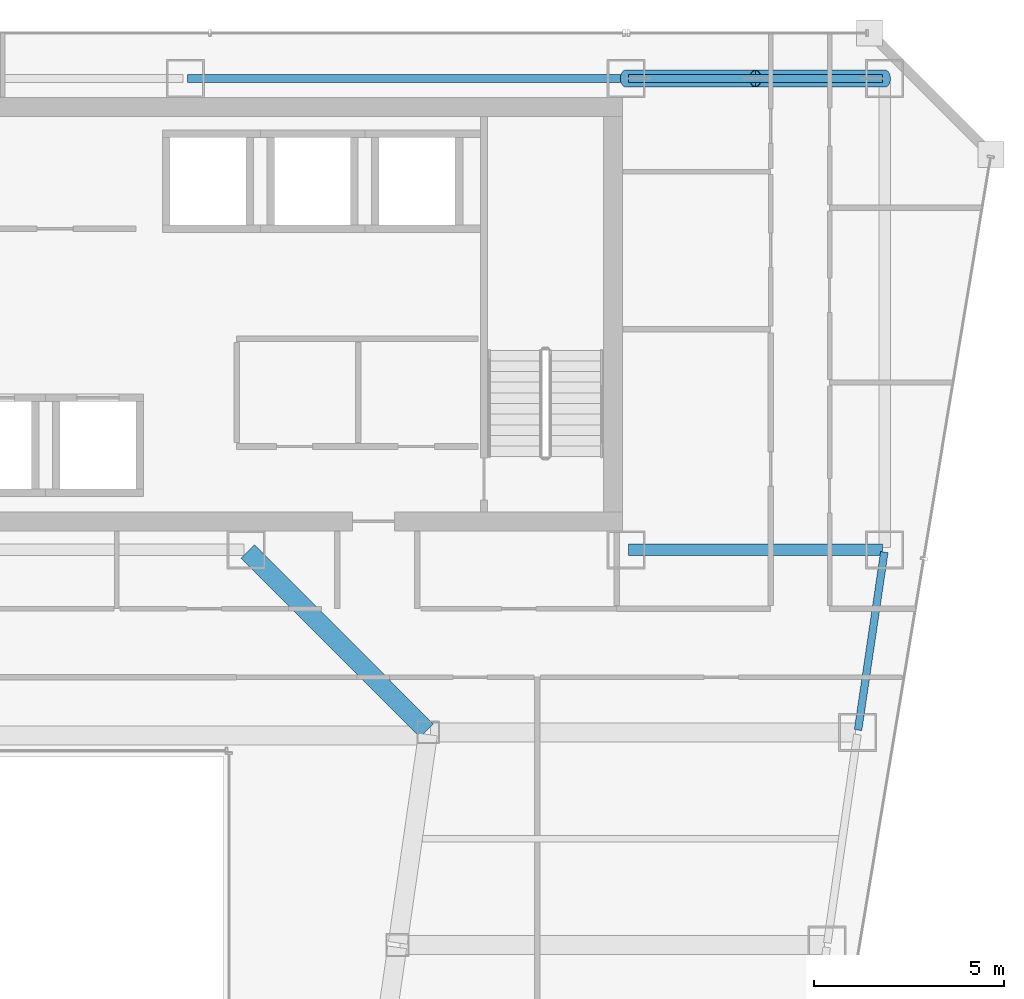
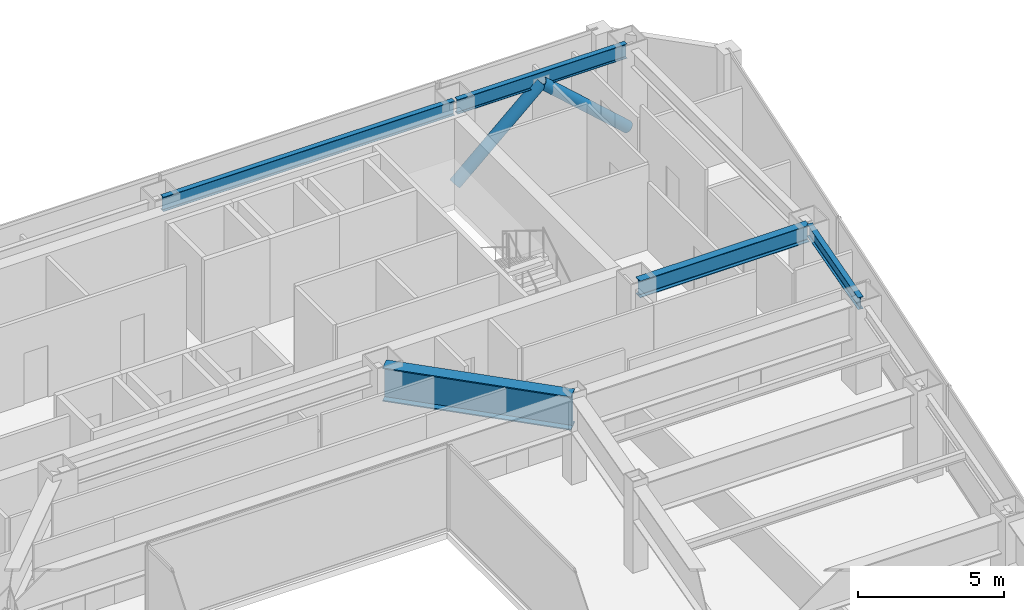
# One storey, part 25 of 37: 5 beams, 2 members.
"""IFC4 building model written with IfcOpenShell, lengths in metres."""

from ifc_helpers import new_model, si_unit, direction, frame, origin, origin_2d, place, context, subcontext, project, spatial, hollow_circle, i_section, extrude, material, material_profile, profile_set, type_object, element, save


model = new_model("IFC4")

# Units and contexts
model_context = context("Model", 3, precision=1e-05, world=origin(), true_north=direction((0.0, 1.0)))
body_context = subcontext(model_context, "Body", "Model", "MODEL_VIEW")
ifc_project = project(units=[si_unit("LENGTHUNIT", "METRE"), si_unit("AREAUNIT", "SQUARE_METRE"), si_unit("VOLUMEUNIT", "CUBIC_METRE"), si_unit("PLANEANGLEUNIT", "RADIAN"), si_unit("MASSUNIT", "GRAM", prefix="KILO")], contexts=[model_context])

# Site, building, storey
site_placement = place(None, origin())
site = spatial("IfcSite", under=ifc_project, at=site_placement, CompositionType="ELEMENT")
building_placement = place(site_placement, origin())
building = spatial("IfcBuilding", under=site, at=building_placement, Name="Saevonmaru Cultural Tower", CompositionType="ELEMENT")
storey_placement = place(building_placement, frame((0.0, 0.0, 163.800048828125)))
storey = spatial("IfcBuildingStorey", under=building, at=storey_placement, Name="L36", CompositionType="ELEMENT", Elevation=163.800048828125)

# Beams
ifc_material_1 = material(Name="Steel SM355", Category="steel")
ifc_material_profile_1 = material_profile(ifc_material_1, i_section(OverallWidth=0.300048828125, OverallDepth=0.699951171875, WebThickness=0.012939453125, FlangeThickness=0.02392578125, FilletRadius=0.02587890625, at=origin_2d()), Name="H-700x300x13x24")
ifc_profile_set_1 = profile_set([ifc_material_profile_1], Name="Steel SM355")
beam_type_1 = type_object("IfcBeamType", Name="BM-G-H700", PredefinedType="BEAM", material=ifc_profile_set_1)
beam_1_placement = place(storey_placement, frame((46.4599609375, 42.39990234375, 3.199951171875), z_axis=(1.0, 0.0, 0.0), x_axis=(0.0, 1.0, 0.0)))
element("IfcBeam", 1, at=beam_1_placement, inside=storey, type_object=beam_type_1, Name="L36 Core South Girder 5", PredefinedType="BEAM", context=body_context, shape_type="SweptSolid", body=[
    extrude(i_section(OverallWidth=0.300048828125, OverallDepth=0.699951171875, WebThickness=0.012939453125, FlangeThickness=0.02392578125, FilletRadius=0.02587890625, at=origin_2d()), origin(), (0.0, 0.0, 1.0), 6.679931640625),
])
ifc_material_profile_2 = material_profile(ifc_material_1, i_section(OverallWidth=0.199951171875, OverallDepth=0.5, WebThickness=0.010009765625, FlangeThickness=0.01611328125, FilletRadius=0.02001953125, at=origin_2d()), Name="H-500x200x10x16")
ifc_profile_set_2 = profile_set([ifc_material_profile_2], Name="Steel SM355")
beam_type_2 = type_object("IfcBeamType", Name="BM-SP-H500", PredefinedType="SPANDREL", material=ifc_profile_set_2)
beam_2_placement = place(storey_placement, frame((52.500732421875, 37.659423828125, 3.300048828125), z_axis=(0.145912860028, 0.989297446312, 0.0), x_axis=(-0.989297446312, 0.145912860028, 0.0)))
element("IfcBeam", 2, at=beam_2_placement, inside=storey, type_object=beam_type_2, Name="L36 East Splayed Spandrel 5", PredefinedType="SPANDREL", context=body_context, shape_type="SweptSolid", body=[
    extrude(i_section(OverallWidth=0.199951171875, OverallDepth=0.5, WebThickness=0.010009765625, FlangeThickness=0.01611328125, FilletRadius=0.02001953125, at=origin_2d()), origin(), (0.0, 0.0, 1.0), 4.731689453125),
])
ifc_material_profile_3 = material_profile(ifc_material_1, i_section(OverallWidth=0.199951171875, OverallDepth=0.60009765625, WebThickness=0.010986328125, FlangeThickness=0.01708984375, FilletRadius=0.02197265625, at=origin_2d()), Name="H-600x200x11x17")
ifc_profile_set_3 = profile_set([ifc_material_profile_3], Name="Steel SM355")
beam_type_3 = type_object("IfcBeamType", Name="BM-SP-H600", PredefinedType="SPANDREL", material=ifc_profile_set_3)
beam_3_placement = place(storey_placement, frame((34.860107421875, 54.800048828125, 3.25), z_axis=(1.0, 0.0, 0.0), x_axis=(0.0, 1.0, 0.0)))
element("IfcBeam", 3, at=beam_3_placement, inside=storey, type_object=beam_type_3, Name="L36 North Spine Girder 4", PredefinedType="SPANDREL", context=body_context, shape_type="SweptSolid", body=[
    extrude(i_section(OverallWidth=0.199951171875, OverallDepth=0.60009765625, WebThickness=0.010986328125, FlangeThickness=0.01708984375, FilletRadius=0.02197265625, at=origin_2d()), origin(), (0.0, 0.0, 1.0), 11.47998046875),
])
beam_4_placement = place(storey_placement, frame((46.4599609375, 54.800048828125, 3.25), z_axis=(1.0, 0.0, 0.0), x_axis=(0.0, 1.0, 0.0)))
element("IfcBeam", 4, at=beam_4_placement, inside=storey, type_object=beam_type_3, Name="L36 North Spine Girder 5", PredefinedType="SPANDREL", context=body_context, shape_type="SweptSolid", body=[
    extrude(i_section(OverallWidth=0.199951171875, OverallDepth=0.60009765625, WebThickness=0.010986328125, FlangeThickness=0.01708984375, FilletRadius=0.02197265625, at=origin_2d()), origin(), (0.0, 0.0, 1.0), 6.679931640625),
])
ifc_material_2 = material(Name="Steel HSA600 (600 MPa)", Category="steel")
ifc_material_profile_4 = material_profile(ifc_material_2, i_section(OverallWidth=0.5, OverallDepth=1.39990234375, WebThickness=0.02392578125, FlangeThickness=0.044921875, at=origin_2d()), Name="PG-1400x500x24x45")
ifc_profile_set_4 = profile_set([ifc_material_profile_4], Name="Steel HSA600 (600 MPa)")
beam_type_4 = type_object("IfcBeamType", Name="BM-TG-PG1400", PredefinedType="BEAM", material=ifc_profile_set_4)
beam_5_placement = place(storey_placement, frame((41.149658203125, 37.642578125, 2.849853515625), z_axis=(-0.706538566564, 0.707674539572, 0.0), x_axis=(-0.707674539572, -0.706538566564, 0.0)))
element("IfcBeam", 5, at=beam_5_placement, inside=storey, type_object=beam_type_4, Name="L36 East Atrium Girder 5", PredefinedType="BEAM", context=body_context, shape_type="SweptSolid", body=[
    extrude(i_section(OverallWidth=0.5, OverallDepth=1.39990234375, WebThickness=0.02392578125, FlangeThickness=0.044921875, at=origin_2d()), origin(), (0.0, 0.0, 1.0), 6.662353515625),
])

# Members
ifc_material_3 = material(Name="Steel SM420", Category="steel")
ifc_material_profile_5 = material_profile(ifc_material_3, hollow_circle(Radius=0.228515625, WallThickness=0.02001953125, at=origin_2d()), Name="CHS-457.2x20")
ifc_profile_set_5 = profile_set([ifc_material_profile_5], Name="Steel SM420")
member_type = type_object("IfcMemberType", Name="MB-PBR-CHS457", PredefinedType="BRACE", material=ifc_profile_set_5)
for number, where, z_axis, x_axis, name in (
    (6, (46.39990234375, 54.800048828125, 0.02001953125), (0.744390779303, 0.0, 0.66774423823), (0.0, 1.0, 0.0), "L36 Perimeter Braced-Tube Diagonal EN1"),
    (7, (53.199951171875, 54.800048828125, 0.02001953125), (-0.744366945704, 0.0, 0.667770806597), (0.0, -1.0, 0.0), "L36 Perimeter Braced-Tube Diagonal EN2"),
):
    element("IfcMember", number, at=place(storey_placement, frame(where, z_axis=z_axis, x_axis=x_axis)), inside=storey, type_object=member_type, Name=name, PredefinedType="BRACE", context=body_context, shape_type="SweptSolid", body=[
        extrude(hollow_circle(Radius=0.228515625, WallThickness=0.02001953125, at=origin_2d()), origin(), (0.0, 0.0, 1.0), 4.567626953125),
    ])

save(model, "model.ifc")
